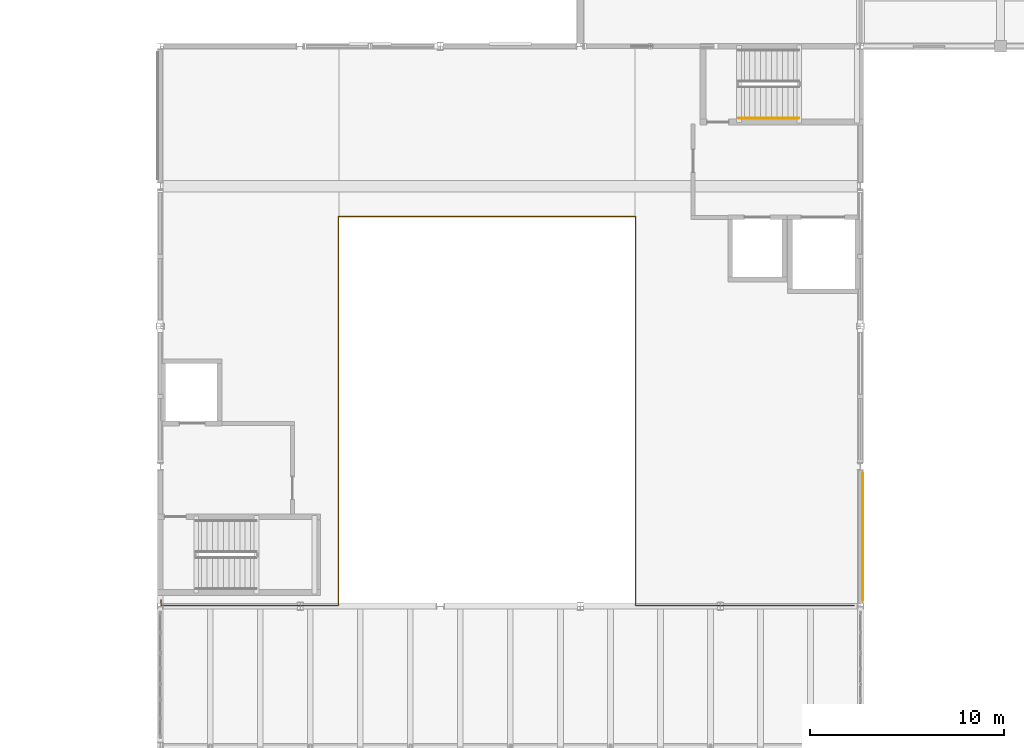
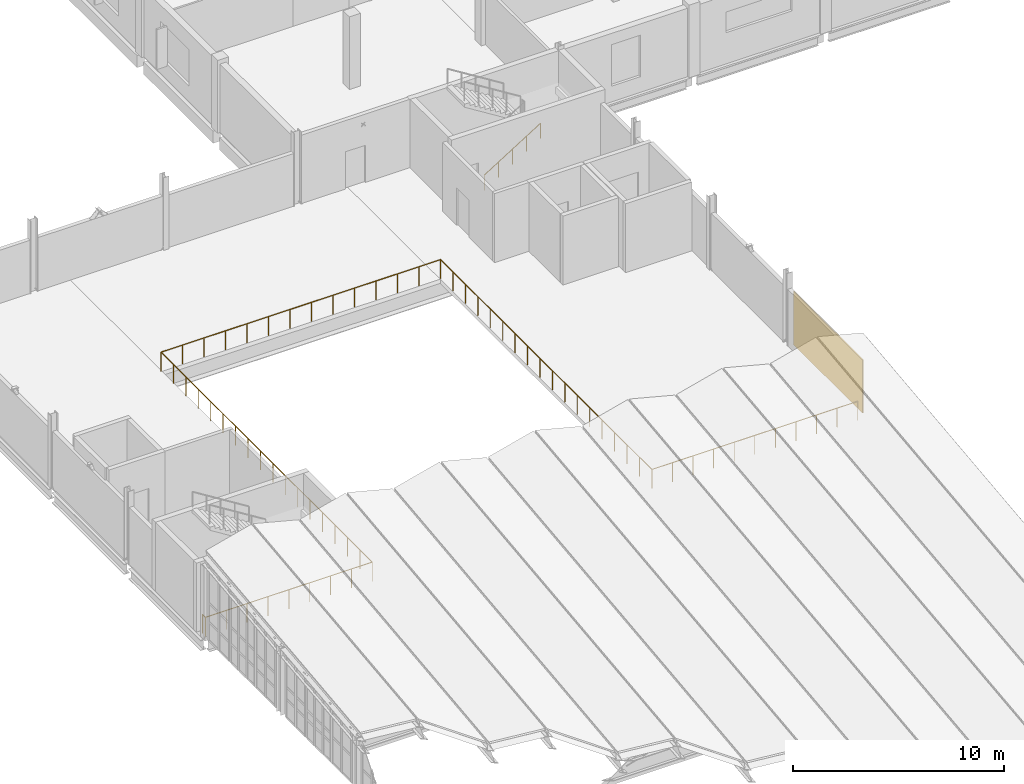
# One storey, part 46 of 48: 2 railings, 1 covering.
"""IFC4 building model written with IfcOpenShell, lengths in metres."""

import ifcopenshell
import ifcopenshell.guid

model = None  # the IFC model being written
_history = None  # IfcOwnerHistory: only IFC2X3 demands one
_inside = {}  # id of a spatial element -> (the spatial element, [elements in it])
_under = {}  # id of a project, library or spatial element -> (it, [spatial elements below it])
_declared = {}  # id of a project -> (the project, [libraries it declares])
_typed = {}  # id of a type object -> (the type object, [elements of that type])
_made_of = {}  # id of a material, layer set ... -> (it, [elements and type objects made of it])


def new_model(schema):
    """Start an empty IFC model of exactly this schema.

    Asked for "IFC4X3", IfcOpenShell would pick the latest addendum, in which some entities
    have other attributes; the version numbers below select the first issue.
    IFC2X3 requires an IfcOwnerHistory on every rooted entity: one is made here for all.
    """
    global model, _history
    if schema == "IFC4X3":
        model = ifcopenshell.file(schema_version=(4, 3, 0, 0))
    else:
        model = ifcopenshell.file(schema=schema)
    _inside.clear()
    _under.clear()
    _declared.clear()
    _typed.clear()
    _made_of.clear()
    _history = None
    if model.schema == "IFC2X3":
        org = make("IfcOrganization", Name="unknown")
        user = make(
            "IfcPersonAndOrganization",
            ThePerson=make("IfcPerson", FamilyName="unknown"),
            TheOrganization=org,
        )
        app = make(
            "IfcApplication",
            ApplicationDeveloper=org,
            Version="unknown",
            ApplicationFullName="unknown",
            ApplicationIdentifier="unknown",
        )
        _history = make(
            "IfcOwnerHistory",
            OwningUser=user,
            OwningApplication=app,
            ChangeAction="ADDED",
            CreationDate=0,
        )
    return model


def make(cls, **values):
    """One entity of the class cls with the attributes given. An attribute that is None is left unset."""
    return model.create_entity(
        cls, **{name: value for name, value in values.items() if value is not None}
    )


def rooted(cls, **values):
    """An entity with a GlobalId (a new one), such as an element, a storey or a relation."""
    return make(cls, GlobalId=ifcopenshell.guid.new(), OwnerHistory=_history, **values)


def si_unit(unit_type, name, prefix=None):
    """IfcSIUnit, for example si_unit("LENGTHUNIT", "METRE", prefix="MILLI")."""
    return make("IfcSIUnit", UnitType=unit_type, Prefix=prefix, Name=name)


def assignment(units):
    """IfcUnitAssignment: the units of a project."""
    return None if units is None else make("IfcUnitAssignment", Units=units)


def point(xyz):
    """IfcCartesianPoint."""
    return None if xyz is None else make("IfcCartesianPoint", Coordinates=xyz)


def direction(xyz):
    """IfcDirection."""
    return None if xyz is None else make("IfcDirection", DirectionRatios=xyz)


def frame(location, z_axis=None, x_axis=None):
    """IfcAxis2Placement3D, a coordinate frame: its origin and axes. An axis left out is left unset."""
    return make(
        "IfcAxis2Placement3D",
        Location=point(location),
        Axis=direction(z_axis),
        RefDirection=direction(x_axis),
    )


def frame_2d(location, x_axis=None):
    """IfcAxis2Placement2D, a coordinate frame in the plane: its origin and x axis."""
    return make(
        "IfcAxis2Placement2D", Location=point(location), RefDirection=direction(x_axis)
    )


def origin():
    """The frame at (0, 0, 0) with its axes left unset."""
    return frame((0.0, 0.0, 0.0))


def origin_2d():
    """The frame at (0, 0) in the plane with its x axis left unset."""
    return frame_2d((0.0, 0.0))


def place(relative_to, where):
    """IfcLocalPlacement: puts the frame where relative to a parent placement (None: the world)."""
    return make(
        "IfcLocalPlacement", PlacementRelTo=relative_to, RelativePlacement=where
    )


def context(
    kind, dimensions, precision=None, world=None, true_north=None, identifier=None
):
    """IfcGeometricRepresentationContext, for example the 3D "Model" context."""
    return make(
        "IfcGeometricRepresentationContext",
        ContextIdentifier=identifier,
        ContextType=kind,
        CoordinateSpaceDimension=dimensions,
        Precision=precision,
        WorldCoordinateSystem=world,
        TrueNorth=true_north,
    )


def subcontext(parent, identifier, kind, view, scale=None):
    """IfcGeometricRepresentationSubContext, for example "Body" below "Model"."""
    return make(
        "IfcGeometricRepresentationSubContext",
        ContextIdentifier=identifier,
        ContextType=kind,
        ParentContext=parent,
        TargetScale=scale,
        TargetView=view,
    )


def project(units=None, contexts=None):
    """IfcProject with its units and contexts."""
    return rooted(
        "IfcProject",
        Name="project",
        RepresentationContexts=contexts,
        UnitsInContext=assignment(units),
    )


def spatial(cls, under=None, at=None, **own):
    """A site, building, storey or space (cls), placed at a placement, below another one or the project."""
    s = rooted(cls, ObjectPlacement=at, **own)
    if under is not None:
        _under.setdefault(under.id(), (under, []))[1].append(s)
    return s


def profile(cls, at=None, kind="AREA", **sizes):
    """A parametric profile (cls). Its sizes go by their IFC names, for example OverallWidth=200.0."""
    return make(cls, ProfileType=kind, Position=at, **sizes)


def rectangle(**sizes):
    """IfcRectangleProfileDef."""
    return profile("IfcRectangleProfileDef", **sizes)


def circle(**sizes):
    """IfcCircleProfileDef."""
    return profile("IfcCircleProfileDef", **sizes)


def extrude(swept, where, along, depth):
    """IfcExtrudedAreaSolid: the profile swept, set in the frame where, extruded along a direction by depth."""
    return make(
        "IfcExtrudedAreaSolid",
        SweptArea=swept,
        Position=where,
        ExtrudedDirection=direction(along),
        Depth=depth,
    )


def shape(context_of_items, identifier, shape_type, items):
    """IfcShapeRepresentation: the items that make up one representation, for example the "Body"."""
    return make(
        "IfcShapeRepresentation",
        ContextOfItems=context_of_items,
        RepresentationIdentifier=identifier,
        RepresentationType=shape_type,
        Items=items,
    )


def material(Name=None, Category=None):
    """IfcMaterial."""
    return make("IfcMaterial", Name=Name, Category=Category)


def layer(
    of_material, thickness, ventilated=None, Name=None, Category=None, Priority=None
):
    """IfcMaterialLayer: one layer of a wall or slab, of a material (None: an air gap)."""
    return make(
        "IfcMaterialLayer",
        Material=of_material,
        LayerThickness=thickness,
        IsVentilated=ventilated,
        Name=Name,
        Category=Category,
        Priority=Priority,
    )


def layer_set(layers, Name=None):
    """IfcMaterialLayerSet."""
    return make("IfcMaterialLayerSet", MaterialLayers=layers, LayerSetName=Name)


def made_of(thing, what):
    """Note that an element or type object is made of a material, layer set ...; save() writes the relation."""
    if what is not None:
        _made_of.setdefault(what.id(), (what, []))[1].append(thing)
    return thing


def type_object(cls, material=None, **own):
    """A type object (cls), such as IfcWallType, which elements share."""
    return made_of(rooted(cls, **own), material)


def element(
    cls,
    number,
    at=None,
    inside=None,
    cuts=None,
    type_object=None,
    material=None,
    context=None,
    identifier="Body",
    shape_type=None,
    held_by="IfcProductDefinitionShape",
    body=None,
    shapes=None,
    **own,
):
    """One element of the class cls, such as IfcWall. Its Tag is "e" and its number.

    at: its placement. inside: the storey or other place that contains it. cuts: it is an
    opening in that element (IfcRelVoidsElement). A single representation is given by context,
    identifier, shape_type and body (its items); several are given by shapes. held_by: the class
    of the entity that holds the representations. save() writes the other relations.
    """
    e = rooted(cls, Tag="e%d" % number, ObjectPlacement=at, **own)
    if body is not None:
        shapes = [shape(context, identifier, shape_type, body)]
    if shapes is not None:
        e.Representation = make(held_by, Representations=shapes)
    if inside is not None:
        _inside.setdefault(inside.id(), (inside, []))[1].append(e)
    if cuts is not None:
        rooted(
            "IfcRelVoidsElement", RelatingBuildingElement=cuts, RelatedOpeningElement=e
        )
    if type_object is not None:
        _typed.setdefault(type_object.id(), (type_object, []))[1].append(e)
    return made_of(e, material)


def aggregate(whole, parts):
    """IfcRelAggregates: a whole, such as a stair, and the parts it consists of."""
    return rooted("IfcRelAggregates", RelatingObject=whole, RelatedObjects=parts)


def save(model, path):
    """Write the relations noted so far, then the file.

    IfcRelAggregates (storeys below a building ...), IfcRelContainedInSpatialStructure (elements
    in a storey), IfcRelDefinesByType, IfcRelAssociatesMaterial and IfcRelDeclares: one each for
    every whole, place, type object, material and project.
    """
    for whole, parts in _under.values():
        aggregate(whole, parts)
    for where, things in _inside.values():
        rooted(
            "IfcRelContainedInSpatialStructure",
            RelatedElements=things,
            RelatingStructure=where,
        )
    for kind, things in _typed.values():
        rooted("IfcRelDefinesByType", RelatedObjects=things, RelatingType=kind)
    for what, things in _made_of.values():
        rooted("IfcRelAssociatesMaterial", RelatedObjects=things, RelatingMaterial=what)
    for by, libraries in _declared.values():
        rooted("IfcRelDeclares", RelatingContext=by, RelatedDefinitions=libraries)
    model.write(path)


model = new_model("IFC4")

# Units and contexts
model_context = context("Model", 3, precision=1e-05, world=origin(), true_north=direction((0.0, 1.0)))
body_context = subcontext(model_context, "Body", "Model", "MODEL_VIEW")
ifc_project = project(units=[si_unit("LENGTHUNIT", "METRE"), si_unit("AREAUNIT", "SQUARE_METRE"), si_unit("VOLUMEUNIT", "CUBIC_METRE"), si_unit("PLANEANGLEUNIT", "RADIAN"), si_unit("MASSUNIT", "GRAM", prefix="KILO"), si_unit("THERMODYNAMICTEMPERATUREUNIT", "KELVIN"), si_unit("POWERUNIT", "WATT")], contexts=[model_context])

# Site, building, storey
site_placement = place(None, origin())
site = spatial("IfcSite", under=ifc_project, at=site_placement, CompositionType="ELEMENT")
building_placement = place(site_placement, origin())
building = spatial("IfcBuilding", under=site, at=building_placement, Name="Kaldorven Railside Theatre", CompositionType="ELEMENT")
storey_placement = place(building_placement, frame((0.0, 0.0, 18.89990234375)))
storey = spatial("IfcBuildingStorey", under=building, at=storey_placement, Name="L04", CompositionType="ELEMENT", Elevation=18.89990234375)

# Covering
ifc_material_1 = material(Name="Bush-hammered precast concrete C40/50", Category="concrete")
ifc_layer = layer(ifc_material_1, 0.050048828125, Name="Bush-hammered precast concrete C40/50")
ifc_layer_set = layer_set([ifc_layer], Name="Bush-hammered precast concrete C40/50")
covering_type = type_object("IfcCoveringType", Name="COV-CLD-01", PredefinedType="CLADDING", material=ifc_layer_set)
covering_placement = place(storey_placement, frame((123.3310546875, 87.577392578125, 0.10009765625), z_axis=(0.0, 0.0, 1.0), x_axis=(0.0, -1.0, 0.0)))
element("IfcCovering", 1, at=covering_placement, inside=storey, type_object=covering_type, Name="Bush-Hammered Laterite Rainscreen Panel CLD-042", PredefinedType="CLADDING", context=body_context, shape_type="SweptSolid", body=[
    extrude(rectangle(XDim=6.544921875, YDim=0.050048828125, at=origin_2d()), origin(), (0.0, 0.0, 1.0), 3.074951171875),
])

# Railings
ifc_material_2 = material(Name="Anodised bronze aluminium", Category="aluminium")
railing_type_1 = type_object("IfcRailingType", Name="RLG-BAL-1100", PredefinedType="BALUSTRADE", material=ifc_material_2)
railing_1_placement = place(storey_placement, frame((122.890869140625, 84.0400390625, 0.0)))
element("IfcRailing", 2, at=railing_1_placement, inside=storey, type_object=railing_type_1, Name="L04 Safety Balustrade GR-128", PredefinedType="BALUSTRADE", context=body_context, shape_type="SweptSolid", body=[
    extrude(circle(Radius=0.02392578125, at=origin_2d()), frame((0.0, 0.0, 1.09619140625), z_axis=(-1.0, 0.0, 0.0), x_axis=(0.0, -1.0, 0.0)), (0.0, 0.0, 1.0), 11.2509765625),
    extrude(circle(Radius=0.02392578125, at=origin_2d()), frame((-11.2509765625, 0.0, 1.09619140625), z_axis=(0.0, 1.0, 0.0), x_axis=(-1.0, 0.0, 0.0)), (0.0, 0.0, 1.0), 20.0),
    extrude(circle(Radius=0.02392578125, at=origin_2d()), frame((-11.2509765625, 20.0, 1.09619140625), z_axis=(-1.0, 0.0, 0.0), x_axis=(0.0, -1.0, 0.0)), (0.0, 0.0, 1.0), 15.27978515625),
    extrude(circle(Radius=0.02392578125, at=origin_2d()), frame((-26.53076171875, 20.0, 1.09619140625), z_axis=(0.0, -1.0, 0.0), x_axis=(1.0, 0.0, 0.0)), (0.0, 0.0, 1.0), 20.0),
    extrude(circle(Radius=0.02392578125, at=origin_2d()), frame((-26.53076171875, 0.0, 1.09619140625), z_axis=(-1.0, 0.0, 0.0), x_axis=(0.0, -1.0, 0.0)), (0.0, 0.0, 1.0), 9.1201171875),
    extrude(circle(Radius=0.02392578125, at=origin_2d()), frame((-35.65087890625, 0.0, 1.09619140625), z_axis=(0.0, 1.0, 0.0), x_axis=(-1.0, 0.0, 0.0)), (0.0, 0.0, 1.0), 0.2900390625),
    extrude(circle(Radius=0.02099609375, at=origin_2d()), origin(), (0.0, 0.0, 1.0), 1.072021484375),
    extrude(circle(Radius=0.02099609375, at=origin_2d()), frame((-1.125, 0.0, 0.0)), (0.0, 0.0, 1.0), 1.072021484375),
    extrude(circle(Radius=0.02099609375, at=origin_2d()), frame((-2.250244140625, 0.0, 0.0)), (0.0, 0.0, 1.0), 1.072021484375),
    extrude(circle(Radius=0.02099609375, at=origin_2d()), frame((-3.375244140625, 0.0, 0.0)), (0.0, 0.0, 1.0), 1.072021484375),
    extrude(circle(Radius=0.02099609375, at=origin_2d()), frame((-4.50048828125, 0.0, 0.0)), (0.0, 0.0, 1.0), 1.072021484375),
    extrude(circle(Radius=0.02099609375, at=origin_2d()), frame((-5.62548828125, 0.0, 0.0)), (0.0, 0.0, 1.0), 1.072021484375),
    extrude(circle(Radius=0.02099609375, at=origin_2d()), frame((-6.75048828125, 0.0, 0.0)), (0.0, 0.0, 1.0), 1.072021484375),
    extrude(circle(Radius=0.02099609375, at=origin_2d()), frame((-7.875732421875, 0.0, 0.0)), (0.0, 0.0, 1.0), 1.072021484375),
    extrude(circle(Radius=0.02099609375, at=origin_2d()), frame((-9.000732421875, 0.0, 0.0)), (0.0, 0.0, 1.0), 1.072021484375),
    extrude(circle(Radius=0.02099609375, at=origin_2d()), frame((-10.1259765625, 0.0, 0.0)), (0.0, 0.0, 1.0), 1.072021484375),
    extrude(circle(Radius=0.02099609375, at=origin_2d()), frame((-11.2509765625, 0.0, 0.0)), (0.0, 0.0, 1.0), 1.072021484375),
    extrude(circle(Radius=0.02099609375, at=origin_2d()), frame((-11.2509765625, 1.176513671875, 0.0)), (0.0, 0.0, 1.0), 1.072021484375),
    extrude(circle(Radius=0.02099609375, at=origin_2d()), frame((-11.2509765625, 2.35302734375, 0.0)), (0.0, 0.0, 1.0), 1.072021484375),
    extrude(circle(Radius=0.02099609375, at=origin_2d()), frame((-11.2509765625, 3.529296875, 0.0)), (0.0, 0.0, 1.0), 1.072021484375),
    extrude(circle(Radius=0.02099609375, at=origin_2d()), frame((-11.2509765625, 4.705810546875, 0.0)), (0.0, 0.0, 1.0), 1.072021484375),
    extrude(circle(Radius=0.02099609375, at=origin_2d()), frame((-11.2509765625, 5.88232421875, 0.0)), (0.0, 0.0, 1.0), 1.072021484375),
    extrude(circle(Radius=0.02099609375, at=origin_2d()), frame((-11.2509765625, 7.058837890625, 0.0)), (0.0, 0.0, 1.0), 1.072021484375),
    extrude(circle(Radius=0.02099609375, at=origin_2d()), frame((-11.2509765625, 8.2353515625, 0.0)), (0.0, 0.0, 1.0), 1.072021484375),
    extrude(circle(Radius=0.02099609375, at=origin_2d()), frame((-11.2509765625, 9.411865234375, 0.0)), (0.0, 0.0, 1.0), 1.072021484375),
    extrude(circle(Radius=0.02099609375, at=origin_2d()), frame((-11.2509765625, 10.588134765625, 0.0)), (0.0, 0.0, 1.0), 1.072021484375),
    extrude(circle(Radius=0.02099609375, at=origin_2d()), frame((-11.2509765625, 11.7646484375, 0.0)), (0.0, 0.0, 1.0), 1.072021484375),
    extrude(circle(Radius=0.02099609375, at=origin_2d()), frame((-11.2509765625, 12.941162109375, 0.0)), (0.0, 0.0, 1.0), 1.072021484375),
    extrude(circle(Radius=0.02099609375, at=origin_2d()), frame((-11.2509765625, 14.11767578125, 0.0)), (0.0, 0.0, 1.0), 1.072021484375),
    extrude(circle(Radius=0.02099609375, at=origin_2d()), frame((-11.2509765625, 15.294189453125, 0.0)), (0.0, 0.0, 1.0), 1.072021484375),
    extrude(circle(Radius=0.02099609375, at=origin_2d()), frame((-11.2509765625, 16.470703125, 0.0)), (0.0, 0.0, 1.0), 1.072021484375),
    extrude(circle(Radius=0.02099609375, at=origin_2d()), frame((-11.2509765625, 17.64697265625, 0.0)), (0.0, 0.0, 1.0), 1.072021484375),
    extrude(circle(Radius=0.02099609375, at=origin_2d()), frame((-11.2509765625, 18.823486328125, 0.0)), (0.0, 0.0, 1.0), 1.072021484375),
    extrude(circle(Radius=0.02099609375, at=origin_2d()), frame((-11.2509765625, 20.0, 0.0)), (0.0, 0.0, 1.0), 1.072021484375),
    extrude(circle(Radius=0.02099609375, at=origin_2d()), frame((-12.42626953125, 20.0, 0.0)), (0.0, 0.0, 1.0), 1.072021484375),
    extrude(circle(Radius=0.02099609375, at=origin_2d()), frame((-13.601806640625, 20.0, 0.0)), (0.0, 0.0, 1.0), 1.072021484375),
    extrude(circle(Radius=0.02099609375, at=origin_2d()), frame((-14.777099609375, 20.0, 0.0)), (0.0, 0.0, 1.0), 1.072021484375),
    extrude(circle(Radius=0.02099609375, at=origin_2d()), frame((-15.952392578125, 20.0, 0.0)), (0.0, 0.0, 1.0), 1.072021484375),
    extrude(circle(Radius=0.02099609375, at=origin_2d()), frame((-17.1279296875, 20.0, 0.0)), (0.0, 0.0, 1.0), 1.072021484375),
    extrude(circle(Radius=0.02099609375, at=origin_2d()), frame((-18.30322265625, 20.0, 0.0)), (0.0, 0.0, 1.0), 1.072021484375),
    extrude(circle(Radius=0.02099609375, at=origin_2d()), frame((-19.478515625, 20.0, 0.0)), (0.0, 0.0, 1.0), 1.072021484375),
    extrude(circle(Radius=0.02099609375, at=origin_2d()), frame((-20.65380859375, 20.0, 0.0)), (0.0, 0.0, 1.0), 1.072021484375),
    extrude(circle(Radius=0.02099609375, at=origin_2d()), frame((-21.829345703125, 20.0, 0.0)), (0.0, 0.0, 1.0), 1.072021484375),
    extrude(circle(Radius=0.02099609375, at=origin_2d()), frame((-23.004638671875, 20.0, 0.0)), (0.0, 0.0, 1.0), 1.072021484375),
    extrude(circle(Radius=0.02099609375, at=origin_2d()), frame((-24.179931640625, 20.0, 0.0)), (0.0, 0.0, 1.0), 1.072021484375),
    extrude(circle(Radius=0.02099609375, at=origin_2d()), frame((-25.35546875, 20.0, 0.0)), (0.0, 0.0, 1.0), 1.072021484375),
    extrude(circle(Radius=0.02099609375, at=origin_2d()), frame((-26.53076171875, 20.0, 0.0)), (0.0, 0.0, 1.0), 1.072021484375),
    extrude(circle(Radius=0.02099609375, at=origin_2d()), frame((-26.53076171875, 18.823486328125, 0.0)), (0.0, 0.0, 1.0), 1.072021484375),
    extrude(circle(Radius=0.02099609375, at=origin_2d()), frame((-26.53076171875, 17.64697265625, 0.0)), (0.0, 0.0, 1.0), 1.072021484375),
    extrude(circle(Radius=0.02099609375, at=origin_2d()), frame((-26.53076171875, 16.470703125, 0.0)), (0.0, 0.0, 1.0), 1.072021484375),
    extrude(circle(Radius=0.02099609375, at=origin_2d()), frame((-26.53076171875, 15.294189453125, 0.0)), (0.0, 0.0, 1.0), 1.072021484375),
    extrude(circle(Radius=0.02099609375, at=origin_2d()), frame((-26.53076171875, 14.11767578125, 0.0)), (0.0, 0.0, 1.0), 1.072021484375),
    extrude(circle(Radius=0.02099609375, at=origin_2d()), frame((-26.53076171875, 12.941162109375, 0.0)), (0.0, 0.0, 1.0), 1.072021484375),
    extrude(circle(Radius=0.02099609375, at=origin_2d()), frame((-26.53076171875, 11.7646484375, 0.0)), (0.0, 0.0, 1.0), 1.072021484375),
    extrude(circle(Radius=0.02099609375, at=origin_2d()), frame((-26.53076171875, 10.588134765625, 0.0)), (0.0, 0.0, 1.0), 1.072021484375),
    extrude(circle(Radius=0.02099609375, at=origin_2d()), frame((-26.53076171875, 9.411865234375, 0.0)), (0.0, 0.0, 1.0), 1.072021484375),
    extrude(circle(Radius=0.02099609375, at=origin_2d()), frame((-26.53076171875, 8.2353515625, 0.0)), (0.0, 0.0, 1.0), 1.072021484375),
    extrude(circle(Radius=0.02099609375, at=origin_2d()), frame((-26.53076171875, 7.058837890625, 0.0)), (0.0, 0.0, 1.0), 1.072021484375),
    extrude(circle(Radius=0.02099609375, at=origin_2d()), frame((-26.53076171875, 5.88232421875, 0.0)), (0.0, 0.0, 1.0), 1.072021484375),
    extrude(circle(Radius=0.02099609375, at=origin_2d()), frame((-26.53076171875, 4.705810546875, 0.0)), (0.0, 0.0, 1.0), 1.072021484375),
    extrude(circle(Radius=0.02099609375, at=origin_2d()), frame((-26.53076171875, 3.529296875, 0.0)), (0.0, 0.0, 1.0), 1.072021484375),
    extrude(circle(Radius=0.02099609375, at=origin_2d()), frame((-26.53076171875, 2.35302734375, 0.0)), (0.0, 0.0, 1.0), 1.072021484375),
    extrude(circle(Radius=0.02099609375, at=origin_2d()), frame((-26.53076171875, 1.176513671875, 0.0)), (0.0, 0.0, 1.0), 1.072021484375),
    extrude(circle(Radius=0.02099609375, at=origin_2d()), frame((-26.53076171875, 0.0, 0.0)), (0.0, 0.0, 1.0), 1.072021484375),
    extrude(circle(Radius=0.02099609375, at=origin_2d()), frame((-27.6708984375, 0.0, 0.0)), (0.0, 0.0, 1.0), 1.072021484375),
    extrude(circle(Radius=0.02099609375, at=origin_2d()), frame((-28.810791015625, 0.0, 0.0)), (0.0, 0.0, 1.0), 1.072021484375),
    extrude(circle(Radius=0.02099609375, at=origin_2d()), frame((-29.95068359375, 0.0, 0.0)), (0.0, 0.0, 1.0), 1.072021484375),
    extrude(circle(Radius=0.02099609375, at=origin_2d()), frame((-31.0908203125, 0.0, 0.0)), (0.0, 0.0, 1.0), 1.072021484375),
    extrude(circle(Radius=0.02099609375, at=origin_2d()), frame((-32.23095703125, 0.0, 0.0)), (0.0, 0.0, 1.0), 1.072021484375),
    extrude(circle(Radius=0.02099609375, at=origin_2d()), frame((-33.370849609375, 0.0, 0.0)), (0.0, 0.0, 1.0), 1.072021484375),
    extrude(circle(Radius=0.02099609375, at=origin_2d()), frame((-34.5107421875, 0.0, 0.0)), (0.0, 0.0, 1.0), 1.072021484375),
    extrude(circle(Radius=0.02099609375, at=origin_2d()), frame((-35.65087890625, 0.0, 0.0)), (0.0, 0.0, 1.0), 1.072021484375),
    extrude(circle(Radius=0.02099609375, at=origin_2d()), frame((-35.65087890625, 0.2900390625, 0.0)), (0.0, 0.0, 1.0), 1.072021484375),
])
ifc_material_3 = material(Name="Steel S355", Category="steel")
railing_type_2 = type_object("IfcRailingType", Name="RLG-STH-900", PredefinedType="HANDRAIL", material=ifc_material_3)
railing_2_placement = place(storey_placement, frame((116.949951171875, 109.10009765625, 0.175048828125)))
element("IfcRailing", 3, at=railing_2_placement, inside=storey, type_object=railing_type_2, Name="L04 ST-06 stair handrail 1", PredefinedType="HANDRAIL", context=body_context, shape_type="SweptSolid", body=[
    extrude(circle(Radius=0.02392578125, at=origin_2d()), frame((0.0, 0.0, 0.8759765625), z_axis=(0.847998304005, 0.0, 0.529998940003), x_axis=(0.0, 1.0, 0.0)), (0.0, 0.0, 1.0), 3.632080078125),
    extrude(circle(Radius=0.02099609375, at=origin_2d()), origin(), (0.0, 0.0, 1.0), 0.851806640625),
    extrude(circle(Radius=0.02099609375, at=origin_2d()), frame((0.77001953125, 0.0, 0.481201171875)), (0.0, 0.0, 1.0), 0.851806640625),
    extrude(circle(Radius=0.02099609375, at=origin_2d()), frame((1.5400390625, 0.0, 0.96240234375)), (0.0, 0.0, 1.0), 0.851806640625),
    extrude(circle(Radius=0.02099609375, at=origin_2d()), frame((2.31005859375, 0.0, 1.44384765625)), (0.0, 0.0, 1.0), 0.851806640625),
    extrude(circle(Radius=0.02099609375, at=origin_2d()), frame((3.080078125, 0.0, 1.925048828125)), (0.0, 0.0, 1.0), 0.851806640625),
])

save(model, "model.ifc")
